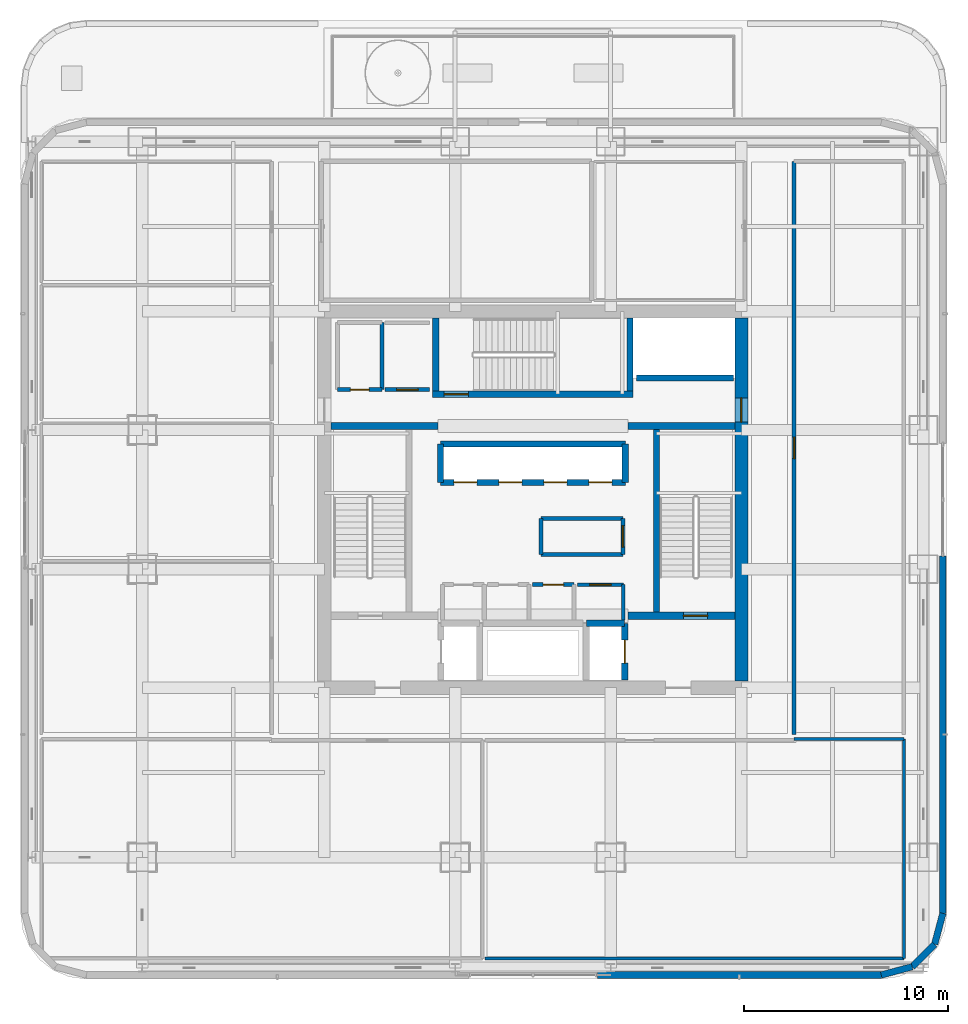
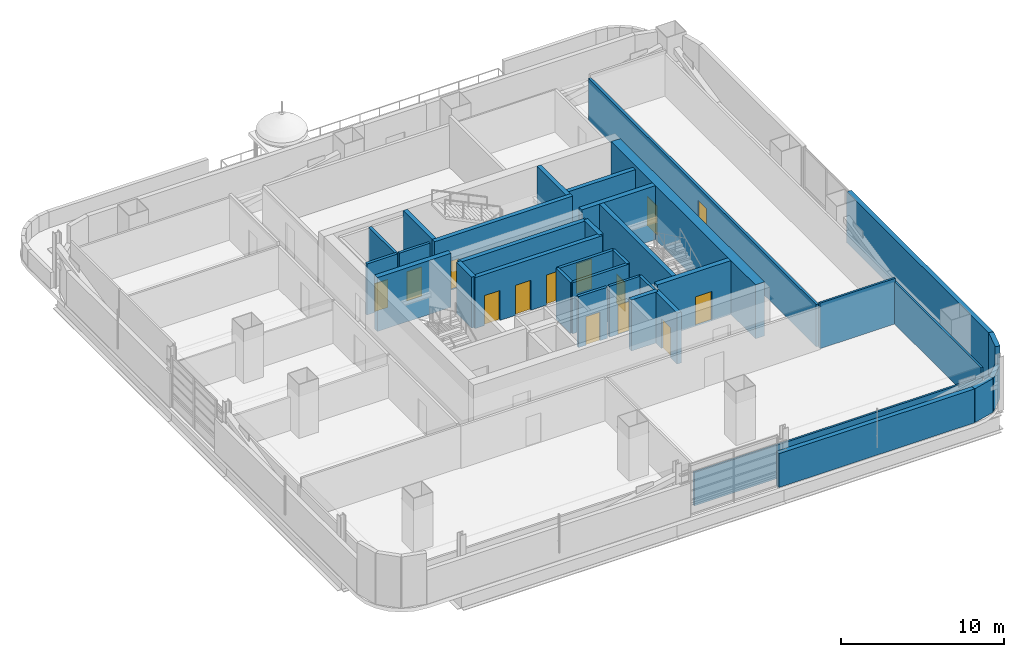
# One storey, part 11 of 29: 34 walls, 14 doors, 14 openings.
"""IFC4 building model written with IfcOpenShell, lengths in metres."""

import ifcopenshell
import ifcopenshell.guid

model = None  # the IFC model being written
_history = None  # IfcOwnerHistory: only IFC2X3 demands one
_inside = {}  # id of a spatial element -> (the spatial element, [elements in it])
_under = {}  # id of a project, library or spatial element -> (it, [spatial elements below it])
_declared = {}  # id of a project -> (the project, [libraries it declares])
_typed = {}  # id of a type object -> (the type object, [elements of that type])
_made_of = {}  # id of a material, layer set ... -> (it, [elements and type objects made of it])


def new_model(schema):
    """Start an empty IFC model of exactly this schema.

    Asked for "IFC4X3", IfcOpenShell would pick the latest addendum, in which some entities
    have other attributes; the version numbers below select the first issue.
    IFC2X3 requires an IfcOwnerHistory on every rooted entity: one is made here for all.
    """
    global model, _history
    if schema == "IFC4X3":
        model = ifcopenshell.file(schema_version=(4, 3, 0, 0))
    else:
        model = ifcopenshell.file(schema=schema)
    _inside.clear()
    _under.clear()
    _declared.clear()
    _typed.clear()
    _made_of.clear()
    _history = None
    if model.schema == "IFC2X3":
        org = make("IfcOrganization", Name="unknown")
        user = make(
            "IfcPersonAndOrganization",
            ThePerson=make("IfcPerson", FamilyName="unknown"),
            TheOrganization=org,
        )
        app = make(
            "IfcApplication",
            ApplicationDeveloper=org,
            Version="unknown",
            ApplicationFullName="unknown",
            ApplicationIdentifier="unknown",
        )
        _history = make(
            "IfcOwnerHistory",
            OwningUser=user,
            OwningApplication=app,
            ChangeAction="ADDED",
            CreationDate=0,
        )
    return model


def make(cls, **values):
    """One entity of the class cls with the attributes given. An attribute that is None is left unset."""
    return model.create_entity(
        cls, **{name: value for name, value in values.items() if value is not None}
    )


def rooted(cls, **values):
    """An entity with a GlobalId (a new one), such as an element, a storey or a relation."""
    return make(cls, GlobalId=ifcopenshell.guid.new(), OwnerHistory=_history, **values)


def si_unit(unit_type, name, prefix=None):
    """IfcSIUnit, for example si_unit("LENGTHUNIT", "METRE", prefix="MILLI")."""
    return make("IfcSIUnit", UnitType=unit_type, Prefix=prefix, Name=name)


def assignment(units):
    """IfcUnitAssignment: the units of a project."""
    return None if units is None else make("IfcUnitAssignment", Units=units)


def point(xyz):
    """IfcCartesianPoint."""
    return None if xyz is None else make("IfcCartesianPoint", Coordinates=xyz)


def direction(xyz):
    """IfcDirection."""
    return None if xyz is None else make("IfcDirection", DirectionRatios=xyz)


def frame(location, z_axis=None, x_axis=None):
    """IfcAxis2Placement3D, a coordinate frame: its origin and axes. An axis left out is left unset."""
    return make(
        "IfcAxis2Placement3D",
        Location=point(location),
        Axis=direction(z_axis),
        RefDirection=direction(x_axis),
    )


def frame_2d(location, x_axis=None):
    """IfcAxis2Placement2D, a coordinate frame in the plane: its origin and x axis."""
    return make(
        "IfcAxis2Placement2D", Location=point(location), RefDirection=direction(x_axis)
    )


def origin():
    """The frame at (0, 0, 0) with its axes left unset."""
    return frame((0.0, 0.0, 0.0))


def place(relative_to, where):
    """IfcLocalPlacement: puts the frame where relative to a parent placement (None: the world)."""
    return make(
        "IfcLocalPlacement", PlacementRelTo=relative_to, RelativePlacement=where
    )


def context(
    kind, dimensions, precision=None, world=None, true_north=None, identifier=None
):
    """IfcGeometricRepresentationContext, for example the 3D "Model" context."""
    return make(
        "IfcGeometricRepresentationContext",
        ContextIdentifier=identifier,
        ContextType=kind,
        CoordinateSpaceDimension=dimensions,
        Precision=precision,
        WorldCoordinateSystem=world,
        TrueNorth=true_north,
    )


def subcontext(parent, identifier, kind, view, scale=None):
    """IfcGeometricRepresentationSubContext, for example "Body" below "Model"."""
    return make(
        "IfcGeometricRepresentationSubContext",
        ContextIdentifier=identifier,
        ContextType=kind,
        ParentContext=parent,
        TargetScale=scale,
        TargetView=view,
    )


def project(units=None, contexts=None):
    """IfcProject with its units and contexts."""
    return rooted(
        "IfcProject",
        Name="project",
        RepresentationContexts=contexts,
        UnitsInContext=assignment(units),
    )


def spatial(cls, under=None, at=None, **own):
    """A site, building, storey or space (cls), placed at a placement, below another one or the project."""
    s = rooted(cls, ObjectPlacement=at, **own)
    if under is not None:
        _under.setdefault(under.id(), (under, []))[1].append(s)
    return s


def profile(cls, at=None, kind="AREA", **sizes):
    """A parametric profile (cls). Its sizes go by their IFC names, for example OverallWidth=200.0."""
    return make(cls, ProfileType=kind, Position=at, **sizes)


def rectangle(**sizes):
    """IfcRectangleProfileDef."""
    return profile("IfcRectangleProfileDef", **sizes)


def extrude(swept, where, along, depth):
    """IfcExtrudedAreaSolid: the profile swept, set in the frame where, extruded along a direction by depth."""
    return make(
        "IfcExtrudedAreaSolid",
        SweptArea=swept,
        Position=where,
        ExtrudedDirection=direction(along),
        Depth=depth,
    )


def shape(context_of_items, identifier, shape_type, items):
    """IfcShapeRepresentation: the items that make up one representation, for example the "Body"."""
    return make(
        "IfcShapeRepresentation",
        ContextOfItems=context_of_items,
        RepresentationIdentifier=identifier,
        RepresentationType=shape_type,
        Items=items,
    )


def material(Name=None, Category=None):
    """IfcMaterial."""
    return make("IfcMaterial", Name=Name, Category=Category)


def layer(
    of_material, thickness, ventilated=None, Name=None, Category=None, Priority=None
):
    """IfcMaterialLayer: one layer of a wall or slab, of a material (None: an air gap)."""
    return make(
        "IfcMaterialLayer",
        Material=of_material,
        LayerThickness=thickness,
        IsVentilated=ventilated,
        Name=Name,
        Category=Category,
        Priority=Priority,
    )


def layer_set(layers, Name=None):
    """IfcMaterialLayerSet."""
    return make("IfcMaterialLayerSet", MaterialLayers=layers, LayerSetName=Name)


def made_of(thing, what):
    """Note that an element or type object is made of a material, layer set ...; save() writes the relation."""
    if what is not None:
        _made_of.setdefault(what.id(), (what, []))[1].append(thing)
    return thing


def type_object(cls, material=None, **own):
    """A type object (cls), such as IfcWallType, which elements share."""
    return made_of(rooted(cls, **own), material)


def element(
    cls,
    number,
    at=None,
    inside=None,
    cuts=None,
    type_object=None,
    material=None,
    context=None,
    identifier="Body",
    shape_type=None,
    held_by="IfcProductDefinitionShape",
    body=None,
    shapes=None,
    **own,
):
    """One element of the class cls, such as IfcWall. Its Tag is "e" and its number.

    at: its placement. inside: the storey or other place that contains it. cuts: it is an
    opening in that element (IfcRelVoidsElement). A single representation is given by context,
    identifier, shape_type and body (its items); several are given by shapes. held_by: the class
    of the entity that holds the representations. save() writes the other relations.
    """
    e = rooted(cls, Tag="e%d" % number, ObjectPlacement=at, **own)
    if body is not None:
        shapes = [shape(context, identifier, shape_type, body)]
    if shapes is not None:
        e.Representation = make(held_by, Representations=shapes)
    if inside is not None:
        _inside.setdefault(inside.id(), (inside, []))[1].append(e)
    if cuts is not None:
        rooted(
            "IfcRelVoidsElement", RelatingBuildingElement=cuts, RelatedOpeningElement=e
        )
    if type_object is not None:
        _typed.setdefault(type_object.id(), (type_object, []))[1].append(e)
    return made_of(e, material)


def fill(opening, filler):
    """IfcRelFillsElement: the door or window that sits in an opening."""
    return rooted(
        "IfcRelFillsElement",
        RelatingOpeningElement=opening,
        RelatedBuildingElement=filler,
    )


def aggregate(whole, parts):
    """IfcRelAggregates: a whole, such as a stair, and the parts it consists of."""
    return rooted("IfcRelAggregates", RelatingObject=whole, RelatedObjects=parts)


def save(model, path):
    """Write the relations noted so far, then the file.

    IfcRelAggregates (storeys below a building ...), IfcRelContainedInSpatialStructure (elements
    in a storey), IfcRelDefinesByType, IfcRelAssociatesMaterial and IfcRelDeclares: one each for
    every whole, place, type object, material and project.
    """
    for whole, parts in _under.values():
        aggregate(whole, parts)
    for where, things in _inside.values():
        rooted(
            "IfcRelContainedInSpatialStructure",
            RelatedElements=things,
            RelatingStructure=where,
        )
    for kind, things in _typed.values():
        rooted("IfcRelDefinesByType", RelatedObjects=things, RelatingType=kind)
    for what, things in _made_of.values():
        rooted("IfcRelAssociatesMaterial", RelatedObjects=things, RelatingMaterial=what)
    for by, libraries in _declared.values():
        rooted("IfcRelDeclares", RelatingContext=by, RelatedDefinitions=libraries)
    model.write(path)


model = new_model("IFC4")

# Units and contexts
model_context = context("Model", 3, precision=1e-05, world=origin(), true_north=direction((0.0, 1.0)))
body_context = subcontext(model_context, "Body", "Model", "MODEL_VIEW")
ifc_project = project(units=[si_unit("LENGTHUNIT", "METRE"), si_unit("AREAUNIT", "SQUARE_METRE"), si_unit("VOLUMEUNIT", "CUBIC_METRE"), si_unit("PLANEANGLEUNIT", "RADIAN"), si_unit("MASSUNIT", "GRAM", prefix="KILO")], contexts=[model_context])

# Site, building, storey
site_placement = place(None, origin())
site = spatial("IfcSite", under=ifc_project, at=site_placement, CompositionType="ELEMENT")
building_placement = place(site_placement, origin())
building = spatial("IfcBuilding", under=site, at=building_placement, Name="Punatoya Terracotta Tower", CompositionType="ELEMENT")
storey_placement = place(building_placement, frame((0.0, 0.0, 172.199951171875)))
storey = spatial("IfcBuildingStorey", under=building, at=storey_placement, Name="L40", CompositionType="ELEMENT", Elevation=172.199951171875)

# Wall, opening, door
ifc_material_1 = material(Name="Concrete C60/75", Category="concrete")
ifc_layer_1 = layer(ifc_material_1, 0.64990234375)
ifc_layer_set_1 = layer_set([ifc_layer_1], Name="Concrete C60/75")
wall_type_1 = type_object("IfcWallType", Name="WL-COR-650", PredefinedType="SHEAR", material=ifc_layer_set_1)
wall_1_placement = place(storey_placement, frame((10.199951171875, 8.875, 0.0), z_axis=(0.0, 0.0, 1.0), x_axis=(0.0, -1.0, 0.0)))
wall_1 = element("IfcWall", 1, at=wall_1_placement, inside=storey, type_object=wall_type_1, Name="L40 Core Shear Wall E", PredefinedType="SHEAR", context=body_context, shape_type="SweptSolid", body=[
    extrude(rectangle(XDim=17.75, YDim=0.64990234375, at=frame_2d((8.875, 0.0))), origin(), (0.0, 0.0, 1.0), 4.050048828125),
])
opening_1_placement = place(wall_1_placement, frame((3.905029296875, 0.0, 0.0)))
opening_1 = element("IfcOpeningElement", 2, at=opening_1_placement, cuts=wall_1, Name="Opening SD-01", PredefinedType="OPENING", context=body_context, shape_type="SweptSolid", body=[
    extrude(rectangle(XDim=1.179931640625, YDim=2.199951171875, at=frame_2d((0.58984375, 1.10009765625))), frame((0.0, 0.3349609375, 0.0), z_axis=(0.0, -1.0, 0.0), x_axis=(1.0, 0.0, 0.0)), (0.0, 0.0, 1.0), 0.669921875),
])
ifc_material_2 = material(Name="Galvanised Steel Pressurized Stair Fire Door", Category="steel")
door_type_1 = type_object("IfcDoorType", Name="DR-STR-1180", OperationType="NOTDEFINED", PredefinedType="DOOR", material=ifc_material_2)
door_1_placement = place(opening_1_placement, origin())
door_1 = element("IfcDoor", 3, at=door_1_placement, inside=storey, type_object=door_type_1, Name="L40 Central Lift Lobby East Fire Door", OperationType="SINGLE_SWING_RIGHT", OverallHeight=2.199951171875, OverallWidth=1.179931640625, PredefinedType="DOOR", context=body_context, shape_type="SweptSolid", body=[
    extrude(rectangle(XDim=1.179931640625, YDim=2.199951171875, at=frame_2d((0.58984375, 1.10009765625))), frame((0.0, 0.02490234375, 0.0), z_axis=(0.0, -1.0, 0.0), x_axis=(1.0, 0.0, 0.0)), (0.0, 0.0, 1.0), 0.050048828125),
])
fill(opening_1, door_1)

# Wall
ifc_material_3 = material(Name="Gypsum Fireboard + Steel Stud", Category="steel")
ifc_layer_2 = layer(ifc_material_3, 0.179931640625)
ifc_layer_set_2 = layer_set([ifc_layer_2], Name="Gypsum Fireboard + Steel Stud")
wall_type_2 = type_object("IfcWallType", Name="WL-CORR-180", PredefinedType="PARTITIONING", material=ifc_layer_set_2)
wall_2_placement = place(storey_placement, frame((4.419921875, -5.89990234375, 0.0), z_axis=(0.0, 0.0, 1.0), x_axis=(0.0, 1.0, 0.0)))
element("IfcWall", 4, at=wall_2_placement, inside=storey, type_object=wall_type_2, Name="L40 Core Reprographics Studio Partition 08", PredefinedType="PARTITIONING", context=body_context, shape_type="SweptSolid", body=[
    extrude(rectangle(XDim=1.739990234375, YDim=0.179931640625, at=frame_2d((0.8701171875, 0.0))), origin(), (0.0, 0.0, 1.0), 3.830078125),
])

# Wall, opening, door
wall_3_placement = place(storey_placement, frame((4.419921875, -4.159912109375, 0.0), z_axis=(0.0, 0.0, 1.0), x_axis=(-1.0, 0.0, 0.0)))
wall_3 = element("IfcWall", 5, at=wall_3_placement, inside=storey, type_object=wall_type_2, Name="L40 Core Reprographics Studio Partition 09", PredefinedType="PARTITIONING", context=body_context, shape_type="SweptSolid", body=[
    extrude(rectangle(XDim=2.239990234375, YDim=0.179931640625, at=frame_2d((1.1201171875, 0.0))), origin(), (0.0, 0.0, 1.0), 3.830078125),
])
opening_2_placement = place(wall_3_placement, frame((0.594970703125, 0.0, 0.0)))
opening_2 = element("IfcOpeningElement", 6, at=opening_2_placement, cuts=wall_3, Name="Opening OD-01", PredefinedType="OPENING", context=body_context, shape_type="SweptSolid", body=[
    extrude(rectangle(XDim=1.050048828125, YDim=2.199951171875, at=frame_2d((0.52490234375, 1.10009765625))), frame((0.0, 0.099853515625, 0.0), z_axis=(0.0, -1.0, 0.0), x_axis=(1.0, 0.0, 0.0)), (0.0, 0.0, 1.0), 0.199951171875),
])
ifc_material_4 = material(Name="Bengal Teak Solid-Core Leaf")
door_type_2 = type_object("IfcDoorType", Name="DR-OFF-1050", OperationType="NOTDEFINED", PredefinedType="DOOR", material=ifc_material_4)
door_2_placement = place(opening_2_placement, origin())
door_2 = element("IfcDoor", 7, at=door_2_placement, inside=storey, type_object=door_type_2, Name="L40 Reprographics Studio Door", OperationType="SINGLE_SWING_RIGHT", OverallHeight=2.199951171875, OverallWidth=1.050048828125, PredefinedType="DOOR", context=body_context, shape_type="SweptSolid", body=[
    extrude(rectangle(XDim=1.050048828125, YDim=2.199951171875, at=frame_2d((0.52490234375, 1.10009765625))), frame((0.0, 0.02490234375, 0.0), z_axis=(0.0, -1.0, 0.0), x_axis=(1.0, 0.0, 0.0)), (0.0, 0.0, 1.0), 0.050048828125),
])
fill(opening_2, door_2)

wall_4_placement = place(storey_placement, frame((-7.219970703125, 5.3798828125, 0.0), z_axis=(0.0, 0.0, 1.0), x_axis=(1.0, 0.0, 0.0)))
wall_4 = element("IfcWall", 8, at=wall_4_placement, inside=storey, type_object=wall_type_2, Name="L40 West Core Print Room Partition 19", PredefinedType="PARTITIONING", context=body_context, shape_type="SweptSolid", body=[
    extrude(rectangle(XDim=2.169921875, YDim=0.179931640625, at=frame_2d((1.0849609375, 0.0))), origin(), (0.0, 0.0, 1.0), 3.830078125),
])
opening_3_placement = place(wall_4_placement, frame((0.56005859375, 0.0, 0.0)))
opening_3 = element("IfcOpeningElement", 9, at=opening_3_placement, cuts=wall_4, Name="Opening OD-01", PredefinedType="OPENING", context=body_context, shape_type="SweptSolid", body=[
    extrude(rectangle(XDim=1.050048828125, YDim=2.199951171875, at=frame_2d((0.52490234375, 1.10009765625))), frame((0.0, 0.099853515625, 0.0), z_axis=(0.0, -1.0, 0.0), x_axis=(1.0, 0.0, 0.0)), (0.0, 0.0, 1.0), 0.199951171875),
])
door_3_placement = place(opening_3_placement, origin())
door_3 = element("IfcDoor", 10, at=door_3_placement, inside=storey, type_object=door_type_2, Name="L40 West Print Room Door", OperationType="SINGLE_SWING_LEFT", OverallHeight=2.199951171875, OverallWidth=1.050048828125, PredefinedType="DOOR", context=body_context, shape_type="SweptSolid", body=[
    extrude(rectangle(XDim=1.050048828125, YDim=2.199951171875, at=frame_2d((0.52490234375, 1.10009765625))), frame((0.0, 0.02490234375, 0.0), z_axis=(0.0, -1.0, 0.0), x_axis=(1.0, 0.0, 0.0)), (0.0, 0.0, 1.0), 0.050048828125),
])
fill(opening_3, door_3)

wall_5_placement = place(storey_placement, frame((12.77001953125, -11.489990234375, 0.0), z_axis=(0.0, 0.0, 1.0), x_axis=(0.0, 1.0, 0.0)))
wall_5 = element("IfcWall", 11, at=wall_5_placement, inside=storey, type_object=wall_type_2, Name="L40 Hospitality Tea Pantry Partition 37", PredefinedType="PARTITIONING", context=body_context, shape_type="SweptSolid", body=[
    extrude(rectangle(XDim=28.030029296875, YDim=0.179931640625, at=frame_2d((14.01513671875, 0.0))), origin(), (0.0, 0.0, 1.0), 3.174072265625),
])
opening_4_placement = place(wall_5_placement, frame((13.489990234375, 0.0, 0.0)))
opening_4 = element("IfcOpeningElement", 12, at=opening_4_placement, cuts=wall_5, Name="Opening OD-01", PredefinedType="OPENING", context=body_context, shape_type="SweptSolid", body=[
    extrude(rectangle(XDim=1.050048828125, YDim=2.199951171875, at=frame_2d((0.52490234375, 1.10009765625))), frame((0.0, 0.099853515625, 0.0), z_axis=(0.0, -1.0, 0.0), x_axis=(1.0, 0.0, 0.0)), (0.0, 0.0, 1.0), 0.199951171875),
])
door_4_placement = place(opening_4_placement, origin())
door_4 = element("IfcDoor", 13, at=door_4_placement, inside=storey, type_object=door_type_2, Name="L40 Hospitality Tea Pantry Door", OperationType="SINGLE_SWING_RIGHT", OverallHeight=2.199951171875, OverallWidth=1.050048828125, PredefinedType="DOOR", context=body_context, shape_type="SweptSolid", body=[
    extrude(rectangle(XDim=1.050048828125, YDim=2.199951171875, at=frame_2d((0.52490234375, 1.10009765625))), frame((0.0, 0.02490234375, 0.0), z_axis=(0.0, -1.0, 0.0), x_axis=(1.0, 0.0, 0.0)), (0.0, 0.0, 1.0), 0.050048828125),
])
fill(opening_4, door_4)

# Walls
ifc_material_5 = material(Name="Precast concrete C40/50", Category="concrete")
ifc_layer_3 = layer(ifc_material_5, 0.320068359375)
ifc_layer_set_3 = layer_set([ifc_layer_3], Name="Precast concrete C40/50")
wall_type_3 = type_object("IfcWallType", Name="WL-EXT-320", PredefinedType="SOLIDWALL", material=ifc_layer_set_3)
wall_6_placement = place(storey_placement, frame((3.14990234375, -23.25, 0.0), z_axis=(0.0, 0.0, 1.0), x_axis=(1.0, 0.0, 0.0)))
element("IfcWall", 14, at=wall_6_placement, inside=storey, type_object=wall_type_3, Name="L40 Terracotta Braced Facade Wall S2", PredefinedType="SOLIDWALL", context=body_context, shape_type="SweptSolid", body=[
    extrude(rectangle(XDim=13.886962890625, YDim=0.320068359375, at=frame_2d((6.943359375, 0.0))), origin(), (0.0, 0.0, 1.0), 2.5439453125),
])
wall_7_placement = place(storey_placement, frame((17.036865234375, -23.25, 0.0), z_axis=(0.0, 0.0, 1.0), x_axis=(0.966224582397, 0.257701486942, 0.0)))
element("IfcWall", 15, at=wall_7_placement, inside=storey, type_object=wall_type_3, Name="L40 Rounded Terracotta Corner Pier 02", PredefinedType="SOLIDWALL", context=body_context, shape_type="SweptSolid", body=[
    extrude(rectangle(XDim=1.565185546875, YDim=0.320068359375, at=frame_2d((0.78271484375, 0.0))), origin(), (0.0, 0.0, 1.0), 2.5439453125),
])
wall_8_placement = place(storey_placement, frame((18.549072265625, -22.8466796875, 0.0), z_axis=(0.0, 0.0, 1.0), x_axis=(0.707028130747, 0.707185422879, 0.0)))
element("IfcWall", 16, at=wall_8_placement, inside=storey, type_object=wall_type_3, Name="L40 Rounded Terracotta Corner Pier 03", PredefinedType="SOLIDWALL", context=body_context, shape_type="SweptSolid", body=[
    extrude(rectangle(XDim=1.55224609375, YDim=0.320068359375, at=frame_2d((0.776123046875, 0.0))), origin(), (0.0, 0.0, 1.0), 2.504150390625),
])
wall_9_placement = place(storey_placement, frame((19.646484375, -21.7490234375, 0.0), z_axis=(0.0, 0.0, 1.0), x_axis=(0.257847112249, 0.966185730957, 0.0)))
element("IfcWall", 17, at=wall_9_placement, inside=storey, type_object=wall_type_3, Name="L40 Rounded Terracotta Corner Pier 04", PredefinedType="SOLIDWALL", context=body_context, shape_type="SweptSolid", body=[
    extrude(rectangle(XDim=1.565185546875, YDim=0.320068359375, at=frame_2d((0.78271484375, 0.0))), origin(), (0.0, 0.0, 1.0), 3.830078125),
])
wall_10_placement = place(storey_placement, frame((20.050048828125, -20.23681640625, 0.0), z_axis=(0.0, 0.0, 1.0), x_axis=(0.0, 1.0, 0.0)))
element("IfcWall", 18, at=wall_10_placement, inside=storey, type_object=wall_type_3, Name="L40 Terracotta Braced Facade Wall E1", PredefinedType="SOLIDWALL", context=body_context, shape_type="SweptSolid", body=[
    extrude(rectangle(XDim=17.48681640625, YDim=0.320068359375, at=frame_2d((8.743408203125, 0.0))), origin(), (0.0, 0.0, 1.0), 3.830078125),
])

# Wall, opening, door
ifc_material_6 = material(Name="Concrete C40/50", Category="concrete")
ifc_layer_4 = layer(ifc_material_6, 0.199951171875)
ifc_layer_set_4 = layer_set([ifc_layer_4], Name="Concrete C40/50")
wall_type_4 = type_object("IfcWallType", Name="WL-INT-200", PredefinedType="SOLIDWALL", material=ifc_layer_set_4)
wall_11_placement = place(storey_placement, frame((2.02001953125, -4.159912109375, 0.0), z_axis=(0.0, 0.0, 1.0), x_axis=(-1.0, 0.0, 0.0)))
wall_11 = element("IfcWall", 19, at=wall_11_placement, inside=storey, type_object=wall_type_4, Name="L40 Accessible Universal Washroom Partition 07", PredefinedType="SOLIDWALL", context=body_context, shape_type="SweptSolid", body=[
    extrude(rectangle(XDim=2.0400390625, YDim=0.199951171875, at=frame_2d((1.02001953125, 0.0))), origin(), (0.0, 0.0, 1.0), 3.830078125),
])
opening_5_placement = place(wall_11_placement, frame((0.52001953125, 0.0, 0.0)))
opening_5 = element("IfcOpeningElement", 20, at=opening_5_placement, cuts=wall_11, Name="Opening AWD-1", PredefinedType="OPENING", context=body_context, shape_type="SweptSolid", body=[
    extrude(rectangle(XDim=1.0, YDim=2.14990234375, at=frame_2d((0.5, 1.074951171875))), frame((0.0, 0.10986328125, 0.0), z_axis=(0.0, -1.0, 0.0), x_axis=(1.0, 0.0, 0.0)), (0.0, 0.0, 1.0), 0.219970703125),
])
ifc_material_7 = material(Name="Bengal Teak Accessible WC Leaf")
door_type_3 = type_object("IfcDoorType", Name="DR-ACC-1000", OperationType="NOTDEFINED", PredefinedType="DOOR", material=ifc_material_7)
door_5_placement = place(opening_5_placement, origin())
door_5 = element("IfcDoor", 21, at=door_5_placement, inside=storey, type_object=door_type_3, Name="L40 Accessible Universal Washroom Door", OperationType="SINGLE_SWING_LEFT", OverallHeight=2.14990234375, OverallWidth=1.0, PredefinedType="DOOR", context=body_context, shape_type="SweptSolid", body=[
    extrude(rectangle(XDim=1.0, YDim=2.14990234375, at=frame_2d((0.5, 1.074951171875))), frame((0.0, 0.02490234375, 0.0), z_axis=(0.0, -1.0, 0.0), x_axis=(1.0, 0.0, 0.0)), (0.0, 0.0, 1.0), 0.050048828125),
])
fill(opening_5, door_5)

wall_12_placement = place(storey_placement, frame((4.39990234375, -2.679931640625, 0.0), z_axis=(0.0, 0.0, 1.0), x_axis=(0.0, 1.0, 0.0)))
wall_12 = element("IfcWall", 22, at=wall_12_placement, inside=storey, type_object=wall_type_4, Name="L40 East Core Tea Pantry Partition 10", PredefinedType="SOLIDWALL", context=body_context, shape_type="SweptSolid", body=[
    extrude(rectangle(XDim=1.760009765625, YDim=0.199951171875, at=frame_2d((0.8798828125, 0.0))), origin(), (0.0, 0.0, 1.0), 3.830078125),
])
opening_6_placement = place(wall_12_placement, frame((0.35498046875, 0.0, 0.0)))
opening_6 = element("IfcOpeningElement", 23, at=opening_6_placement, cuts=wall_12, Name="Opening OD-01", PredefinedType="OPENING", context=body_context, shape_type="SweptSolid", body=[
    extrude(rectangle(XDim=1.050048828125, YDim=2.199951171875, at=frame_2d((0.52490234375, 1.10009765625))), frame((0.0, 0.10986328125, 0.0), z_axis=(0.0, -1.0, 0.0), x_axis=(1.0, 0.0, 0.0)), (0.0, 0.0, 1.0), 0.219970703125),
])
door_6_placement = place(opening_6_placement, origin())
door_6 = element("IfcDoor", 24, at=door_6_placement, inside=storey, type_object=door_type_2, Name="L40 East Tea Pantry Door", OperationType="SINGLE_SWING_LEFT", OverallHeight=2.199951171875, OverallWidth=1.050048828125, PredefinedType="DOOR", context=body_context, shape_type="SweptSolid", body=[
    extrude(rectangle(XDim=1.050048828125, YDim=2.199951171875, at=frame_2d((0.52490234375, 1.10009765625))), frame((0.0, 0.02490234375, 0.0), z_axis=(0.0, -1.0, 0.0), x_axis=(1.0, 0.0, 0.0)), (0.0, 0.0, 1.0), 0.050048828125),
])
fill(opening_6, door_6)

# Walls
wall_13_placement = place(storey_placement, frame((4.39990234375, -0.919921875, 0.0), z_axis=(0.0, 0.0, 1.0), x_axis=(-1.0, 0.0, 0.0)))
element("IfcWall", 25, at=wall_13_placement, inside=storey, type_object=wall_type_4, Name="L40 East Core Tea Pantry Partition 11", PredefinedType="SOLIDWALL", context=body_context, shape_type="SweptSolid", body=[
    extrude(rectangle(XDim=4.0, YDim=0.199951171875, at=frame_2d((2.0, 0.0))), origin(), (0.0, 0.0, 1.0), 3.830078125),
])
wall_14_placement = place(storey_placement, frame((0.39990234375, -0.919921875, 0.0), z_axis=(0.0, 0.0, 1.0), x_axis=(0.0, -1.0, 0.0)))
element("IfcWall", 26, at=wall_14_placement, inside=storey, type_object=wall_type_4, Name="L40 East Core Tea Pantry Partition 12", PredefinedType="SOLIDWALL", context=body_context, shape_type="SweptSolid", body=[
    extrude(rectangle(XDim=1.760009765625, YDim=0.199951171875, at=frame_2d((0.8798828125, 0.0))), origin(), (0.0, 0.0, 1.0), 3.830078125),
])
wall_15_placement = place(storey_placement, frame((0.39990234375, -2.679931640625, 0.0), z_axis=(0.0, 0.0, 1.0), x_axis=(1.0, 0.0, 0.0)))
element("IfcWall", 27, at=wall_15_placement, inside=storey, type_object=wall_type_4, Name="L40 East Core Tea Pantry Partition 13", PredefinedType="SOLIDWALL", context=body_context, shape_type="SweptSolid", body=[
    extrude(rectangle(XDim=4.0, YDim=0.199951171875, at=frame_2d((2.0, 0.0))), origin(), (0.0, 0.0, 1.0), 3.830078125),
])
wall_16_placement = place(storey_placement, frame((-7.3798828125, 5.3798828125, 0.0), z_axis=(0.0, 0.0, 1.0), x_axis=(0.0, 1.0, 0.0)))
element("IfcWall", 28, at=wall_16_placement, inside=storey, type_object=wall_type_4, Name="L40 West Core Archive Vault Partition 14", PredefinedType="SOLIDWALL", context=body_context, shape_type="SweptSolid", body=[
    extrude(rectangle(XDim=3.27001953125, YDim=0.199951171875, at=frame_2d((1.635009765625, 0.0))), origin(), (0.0, 0.0, 1.0), 3.830078125),
])

# Wall, opening, door
wall_17_placement = place(storey_placement, frame((-9.550048828125, 5.3798828125, 0.0), z_axis=(0.0, 0.0, 1.0), x_axis=(1.0, 0.0, 0.0)))
wall_17 = element("IfcWall", 29, at=wall_17_placement, inside=storey, type_object=wall_type_4, Name="L40 West Core Archive Vault Partition 17", PredefinedType="SOLIDWALL", context=body_context, shape_type="SweptSolid", body=[
    extrude(rectangle(XDim=2.170166015625, YDim=0.199951171875, at=frame_2d((1.0849609375, 0.0))), origin(), (0.0, 0.0, 1.0), 3.830078125),
])
opening_7_placement = place(wall_17_placement, frame((0.625, 0.0, 0.0)))
opening_7 = element("IfcOpeningElement", 30, at=opening_7_placement, cuts=wall_17, Name="Opening FD-R1", PredefinedType="OPENING", context=body_context, shape_type="SweptSolid", body=[
    extrude(rectangle(XDim=0.919921875, YDim=2.10009765625, at=frame_2d((0.4599609375, 1.050048828125))), frame((0.0, 0.10986328125, 0.0), z_axis=(0.0, -1.0, 0.0), x_axis=(1.0, 0.0, 0.0)), (0.0, 0.0, 1.0), 0.219970703125),
])
ifc_material_8 = material(Name="Galvanised Steel Riser Fire Access Door", Category="steel")
door_type_4 = type_object("IfcDoorType", Name="DR-RSR-920", OperationType="NOTDEFINED", PredefinedType="DOOR", material=ifc_material_8)
door_7_placement = place(opening_7_placement, origin())
door_7 = element("IfcDoor", 31, at=door_7_placement, inside=storey, type_object=door_type_4, Name="L40 West Core Archive Vault Fire Door", OperationType="SINGLE_SWING_RIGHT", OverallHeight=2.10009765625, OverallWidth=0.919921875, PredefinedType="DOOR", context=body_context, shape_type="SweptSolid", body=[
    extrude(rectangle(XDim=0.919921875, YDim=2.10009765625, at=frame_2d((0.4599609375, 1.050048828125))), frame((0.0, 0.02490234375, 0.0), z_axis=(0.0, -1.0, 0.0), x_axis=(1.0, 0.0, 0.0)), (0.0, 0.0, 1.0), 0.050048828125),
])
fill(opening_7, door_7)

# Walls
ifc_material_9 = material(Name="Acoustic Gypsum + Steel Stud", Category="steel")
ifc_layer_5 = layer(ifc_material_9, 0.139892578125)
ifc_layer_set_5 = layer_set([ifc_layer_5], Name="Acoustic Gypsum + Steel Stud")
wall_type_5 = type_object("IfcWallType", Name="WL-OFF-140", PredefinedType="PARTITIONING", material=ifc_layer_set_5)
wall_18_placement = place(storey_placement, frame((12.77001953125, -11.7099609375, 0.0), z_axis=(0.0, 0.0, 1.0), x_axis=(1.0, 0.0, 0.0)))
element("IfcWall", 32, at=wall_18_placement, inside=storey, type_object=wall_type_5, Name="L40 Media Broadcast Studio Partition 26", PredefinedType="PARTITIONING", context=body_context, shape_type="SweptSolid", body=[
    extrude(rectangle(XDim=5.369873046875, YDim=0.139892578125, at=frame_2d((2.68505859375, 0.0))), origin(), (0.0, 0.0, 1.0), 3.424072265625),
])
wall_19_placement = place(storey_placement, frame((18.139892578125, -11.7099609375, 0.0), z_axis=(0.0, 0.0, 1.0), x_axis=(0.0, -1.0, 0.0)))
element("IfcWall", 33, at=wall_19_placement, inside=storey, type_object=wall_type_5, Name="L40 Media Broadcast Studio Partition 27", PredefinedType="PARTITIONING", context=body_context, shape_type="SweptSolid", body=[
    extrude(rectangle(XDim=10.72998046875, YDim=0.139892578125, at=frame_2d((5.364990234375, 0.0))), origin(), (0.0, 0.0, 1.0), 3.174072265625),
])
wall_20_placement = place(storey_placement, frame((18.139892578125, -22.43994140625, 0.0), z_axis=(0.0, 0.0, 1.0), x_axis=(-1.0, 0.0, 0.0)))
element("IfcWall", 34, at=wall_20_placement, inside=storey, type_object=wall_type_5, Name="L40 Media Broadcast Studio Partition 28", PredefinedType="PARTITIONING", context=body_context, shape_type="SweptSolid", body=[
    extrude(rectangle(XDim=20.47998046875, YDim=0.139892578125, at=frame_2d((10.239990234375, 0.0))), origin(), (0.0, 0.0, 1.0), 2.504150390625),
])
ifc_layer_6 = layer(ifc_material_6, 0.300048828125)
ifc_layer_set_6 = layer_set([ifc_layer_6], Name="Concrete C40/50")
wall_type_6 = type_object("IfcWallType", Name="WL-SHF-300", PredefinedType="SOLIDWALL", material=ifc_layer_set_6)
wall_21_placement = place(storey_placement, frame((6.050048828125, 3.449951171875, 0.0), z_axis=(0.0, 0.0, 1.0), x_axis=(0.0, -1.0, 0.0)))
element("IfcWall", 35, at=wall_21_placement, inside=storey, type_object=wall_type_6, Name="L40 Structural Stair Shaft Wall SW-ST2-W", PredefinedType="SOLIDWALL", context=body_context, shape_type="SweptSolid", body=[
    extrude(rectangle(XDim=8.949951171875, YDim=0.300048828125, at=frame_2d((4.47509765625, 0.0))), origin(), (0.0, 0.0, 1.0), 4.050048828125),
])
for number, where, z_axis, x_axis, name in (
    (36, (-4.75, 5.300048828125, 0.0), (0.0, 0.0, 1.0), (0.0, 1.0, 0.0), "L40 Structural Stair Shaft Wall SW-ST3-W"),
    (37, (4.75, 8.875, 0.0), (0.0, 0.0, 1.0), (0.0, -1.0, 0.0), "L40 Structural Stair Shaft Wall SW-ST3-E"),
):
    element("IfcWall", number, at=place(storey_placement, frame(where, z_axis=z_axis, x_axis=x_axis)), inside=storey, type_object=wall_type_6, Name=name, PredefinedType="SOLIDWALL", context=body_context, shape_type="SweptSolid", body=[
        extrude(rectangle(XDim=3.574951171875, YDim=0.300048828125, at=frame_2d((1.78759765625, 0.0))), origin(), (0.0, 0.0, 1.0), 4.050048828125),
    ])

# Wall, opening, door
wall_22_placement = place(storey_placement, frame((-4.89990234375, 5.14990234375, 0.0), z_axis=(0.0, 0.0, 1.0), x_axis=(1.0, 0.0, 0.0)))
wall_22 = element("IfcWall", 38, at=wall_22_placement, inside=storey, type_object=wall_type_6, Name="L40 Structural Stair Shaft Wall SW-ST3-S", PredefinedType="SOLIDWALL", context=body_context, shape_type="SweptSolid", body=[
    extrude(rectangle(XDim=9.7998046875, YDim=0.300048828125, at=frame_2d((4.89990234375, 0.0))), origin(), (0.0, 0.0, 1.0), 4.050048828125),
])
opening_8_placement = place(wall_22_placement, frame((0.56005859375, 0.0, 0.0)))
opening_8 = element("IfcOpeningElement", 39, at=opening_8_placement, cuts=wall_22, Name="Opening SD-01", PredefinedType="OPENING", context=body_context, shape_type="SweptSolid", body=[
    extrude(rectangle(XDim=1.179931640625, YDim=2.199951171875, at=frame_2d((0.58984375, 1.10009765625))), frame((0.0, 0.159912109375, 0.0), z_axis=(0.0, -1.0, 0.0), x_axis=(1.0, 0.0, 0.0)), (0.0, 0.0, 1.0), 0.320068359375),
])
door_8_placement = place(opening_8_placement, origin())
door_8 = element("IfcDoor", 40, at=door_8_placement, inside=storey, type_object=door_type_1, Name="L40 Stair ST-3 Core Lobby Fire Door", OperationType="SINGLE_SWING_LEFT", OverallHeight=2.199951171875, OverallWidth=1.179931640625, PredefinedType="DOOR", context=body_context, shape_type="SweptSolid", body=[
    extrude(rectangle(XDim=1.179931640625, YDim=2.199951171875, at=frame_2d((0.58984375, 1.10009765625))), frame((0.0, 0.02490234375, 0.0), z_axis=(0.0, -1.0, 0.0), x_axis=(1.0, 0.0, 0.0)), (0.0, 0.0, 1.0), 0.050048828125),
])
fill(opening_8, door_8)

wall_23_placement = place(storey_placement, frame((4.489990234375, -8.820068359375, 0.0), z_axis=(0.0, 0.0, 1.0), x_axis=(0.0, 1.0, 0.0)))
wall_23 = element("IfcWall", 41, at=wall_23_placement, inside=storey, type_object=wall_type_6, Name="L40 FFL-2 Front Hoistway Wall", PredefinedType="SOLIDWALL", context=body_context, shape_type="SweptSolid", body=[
    extrude(rectangle(XDim=2.77001953125, YDim=0.300048828125, at=frame_2d((1.385009765625, 0.0))), origin(), (0.0, 0.0, 1.0), 3.830078125),
])
opening_9_placement = place(wall_23_placement, frame((0.824951171875, 0.0, 0.0)))
opening_9 = element("IfcOpeningElement", 42, at=opening_9_placement, cuts=wall_23, Name="Opening LD-02", PredefinedType="OPENING", context=body_context, shape_type="SweptSolid", body=[
    extrude(rectangle(XDim=1.1201171875, YDim=2.25, at=frame_2d((0.56005859375, 1.125))), frame((0.0, 0.159912109375, 0.0), z_axis=(0.0, -1.0, 0.0), x_axis=(1.0, 0.0, 0.0)), (0.0, 0.0, 1.0), 0.320068359375),
])
ifc_material_10 = material(Name="Stainless Steel Lift Landing Door", Category="steel")
door_type_5 = type_object("IfcDoorType", Name="DR-LND-1120", OperationType="NOTDEFINED", PredefinedType="DOOR", material=ifc_material_10)
door_9_placement = place(opening_9_placement, origin())
door_9 = element("IfcDoor", 43, at=door_9_placement, inside=storey, type_object=door_type_5, Name="L40 Firefighting Lift FFL-2 Sliding Landing Door", OperationType="SLIDING_TO_RIGHT", OverallHeight=2.25, OverallWidth=1.1201171875, PredefinedType="DOOR", context=body_context, shape_type="SweptSolid", body=[
    extrude(rectangle(XDim=1.1201171875, YDim=2.25, at=frame_2d((0.56005859375, 1.125))), frame((0.0, 0.02490234375, 0.0), z_axis=(0.0, -1.0, 0.0), x_axis=(1.0, 0.0, 0.0)), (0.0, 0.0, 1.0), 0.050048828125),
])
fill(opening_9, door_9)

# Wall
wall_24_placement = place(storey_placement, frame((2.610107421875, -6.050048828125, 0.0), z_axis=(0.0, 0.0, 1.0), x_axis=(1.0, 0.0, 0.0)))
element("IfcWall", 44, at=wall_24_placement, inside=storey, type_object=wall_type_6, Name="L40 FFL-2 North Hoistway Wall", PredefinedType="SOLIDWALL", context=body_context, shape_type="SweptSolid", body=[
    extrude(rectangle(XDim=1.8798828125, YDim=0.300048828125, at=frame_2d((0.93994140625, 0.0))), origin(), (0.0, 0.0, 1.0), 3.830078125),
])

# Wall, openings, doors
wall_25_placement = place(storey_placement, frame((-4.52001953125, 0.840087890625, 0.0), z_axis=(0.0, 0.0, 1.0), x_axis=(1.0, 0.0, 0.0)))
wall_25 = element("IfcWall", 45, at=wall_25_placement, inside=storey, type_object=wall_type_6, Name="L40 North Lift Bank Front Shaft Wall", PredefinedType="SOLIDWALL", context=body_context, shape_type="SweptSolid", body=[
    extrude(rectangle(XDim=9.0400390625, YDim=0.300048828125, at=frame_2d((4.52001953125, 0.0))), origin(), (0.0, 0.0, 1.0), 3.830078125),
])
opening_10_placement = place(wall_25_placement, frame((0.659912109375, 0.0, 0.0)))
opening_10 = element("IfcOpeningElement", 46, at=opening_10_placement, cuts=wall_25, Name="Opening LD-02", PredefinedType="OPENING", context=body_context, shape_type="SweptSolid", body=[
    extrude(rectangle(XDim=1.1201171875, YDim=2.25, at=frame_2d((0.56005859375, 1.125))), frame((0.0, 0.159912109375, 0.0), z_axis=(0.0, -1.0, 0.0), x_axis=(1.0, 0.0, 0.0)), (0.0, 0.0, 1.0), 0.320068359375),
])
opening_11_placement = place(wall_25_placement, frame((2.860107421875, 0.0, 0.0)))
opening_11 = element("IfcOpeningElement", 47, at=opening_11_placement, cuts=wall_25, Name="Opening LD-02", PredefinedType="OPENING", context=body_context, shape_type="SweptSolid", body=[
    extrude(rectangle(XDim=1.1201171875, YDim=2.25, at=frame_2d((0.56005859375, 1.125))), frame((0.0, 0.159912109375, 0.0), z_axis=(0.0, -1.0, 0.0), x_axis=(1.0, 0.0, 0.0)), (0.0, 0.0, 1.0), 0.320068359375),
])
opening_12_placement = place(wall_25_placement, frame((5.06005859375, 0.0, 0.0)))
opening_12 = element("IfcOpeningElement", 48, at=opening_12_placement, cuts=wall_25, Name="Opening LD-02", PredefinedType="OPENING", context=body_context, shape_type="SweptSolid", body=[
    extrude(rectangle(XDim=1.1201171875, YDim=2.25, at=frame_2d((0.56005859375, 1.125))), frame((0.0, 0.159912109375, 0.0), z_axis=(0.0, -1.0, 0.0), x_axis=(1.0, 0.0, 0.0)), (0.0, 0.0, 1.0), 0.320068359375),
])
opening_13_placement = place(wall_25_placement, frame((7.260009765625, 0.0, 0.0)))
opening_13 = element("IfcOpeningElement", 49, at=opening_13_placement, cuts=wall_25, Name="Opening LD-02", PredefinedType="OPENING", context=body_context, shape_type="SweptSolid", body=[
    extrude(rectangle(XDim=1.1201171875, YDim=2.25, at=frame_2d((0.56005859375, 1.125))), frame((0.0, 0.159912109375, 0.0), z_axis=(0.0, -1.0, 0.0), x_axis=(1.0, 0.0, 0.0)), (0.0, 0.0, 1.0), 0.320068359375),
])
door_10_placement = place(opening_10_placement, origin())
door_10 = element("IfcDoor", 50, at=door_10_placement, inside=storey, type_object=door_type_5, Name="L40 Lift PL-M1 Sliding Landing Door", OperationType="DOUBLE_DOOR_SLIDING", OverallHeight=2.25, OverallWidth=1.1201171875, PredefinedType="DOOR", context=body_context, shape_type="SweptSolid", body=[
    extrude(rectangle(XDim=1.1201171875, YDim=2.25, at=frame_2d((0.56005859375, 1.125))), frame((0.0, 0.02490234375, 0.0), z_axis=(0.0, -1.0, 0.0), x_axis=(1.0, 0.0, 0.0)), (0.0, 0.0, 1.0), 0.050048828125),
])
fill(opening_10, door_10)
door_11_placement = place(opening_11_placement, origin())
door_11 = element("IfcDoor", 51, at=door_11_placement, inside=storey, type_object=door_type_5, Name="L40 Lift PL-M2 Sliding Landing Door", OperationType="DOUBLE_DOOR_SLIDING", OverallHeight=2.25, OverallWidth=1.1201171875, PredefinedType="DOOR", context=body_context, shape_type="SweptSolid", body=[
    extrude(rectangle(XDim=1.1201171875, YDim=2.25, at=frame_2d((0.56005859375, 1.125))), frame((0.0, 0.02490234375, 0.0), z_axis=(0.0, -1.0, 0.0), x_axis=(1.0, 0.0, 0.0)), (0.0, 0.0, 1.0), 0.050048828125),
])
fill(opening_11, door_11)
door_12_placement = place(opening_12_placement, origin())
door_12 = element("IfcDoor", 52, at=door_12_placement, inside=storey, type_object=door_type_5, Name="L40 Lift PL-M3 Sliding Landing Door", OperationType="DOUBLE_DOOR_SLIDING", OverallHeight=2.25, OverallWidth=1.1201171875, PredefinedType="DOOR", context=body_context, shape_type="SweptSolid", body=[
    extrude(rectangle(XDim=1.1201171875, YDim=2.25, at=frame_2d((0.56005859375, 1.125))), frame((0.0, 0.02490234375, 0.0), z_axis=(0.0, -1.0, 0.0), x_axis=(1.0, 0.0, 0.0)), (0.0, 0.0, 1.0), 0.050048828125),
])
fill(opening_12, door_12)
door_13_placement = place(opening_13_placement, origin())
door_13 = element("IfcDoor", 53, at=door_13_placement, inside=storey, type_object=door_type_5, Name="L40 Lift PL-M4 Sliding Landing Door", OperationType="DOUBLE_DOOR_SLIDING", OverallHeight=2.25, OverallWidth=1.1201171875, PredefinedType="DOOR", context=body_context, shape_type="SweptSolid", body=[
    extrude(rectangle(XDim=1.1201171875, YDim=2.25, at=frame_2d((0.56005859375, 1.125))), frame((0.0, 0.02490234375, 0.0), z_axis=(0.0, -1.0, 0.0), x_axis=(1.0, 0.0, 0.0)), (0.0, 0.0, 1.0), 0.050048828125),
])
fill(opening_13, door_13)

# Walls
wall_26_placement = place(storey_placement, frame((-4.52001953125, 2.719970703125, 0.0), z_axis=(0.0, 0.0, 1.0), x_axis=(1.0, 0.0, 0.0)))
element("IfcWall", 54, at=wall_26_placement, inside=storey, type_object=wall_type_6, Name="L40 North Lift Bank Rear Shaft Wall", PredefinedType="SOLIDWALL", context=body_context, shape_type="SweptSolid", body=[
    extrude(rectangle(XDim=9.0400390625, YDim=0.300048828125, at=frame_2d((4.52001953125, 0.0))), origin(), (0.0, 0.0, 1.0), 3.830078125),
])
for number, where, z_axis, x_axis, name in (
    (55, (-4.52001953125, 0.840087890625, 0.0), (0.0, 0.0, 1.0), (0.0, 1.0, 0.0), "L40 North Lift Bank West End Wall"),
    (56, (4.52001953125, 0.840087890625, 0.0), (0.0, 0.0, 1.0), (0.0, 1.0, 0.0), "L40 North Lift Bank East End Wall"),
):
    element("IfcWall", number, at=place(storey_placement, frame(where, z_axis=z_axis, x_axis=x_axis)), inside=storey, type_object=wall_type_6, Name=name, PredefinedType="SOLIDWALL", context=body_context, shape_type="SweptSolid", body=[
        extrude(rectangle(XDim=1.8798828125, YDim=0.300048828125, at=frame_2d((0.93994140625, 0.0))), origin(), (0.0, 0.0, 1.0), 3.830078125),
    ])
wall_27_placement = place(storey_placement, frame((5.06005859375, 5.949951171875, 0.0), z_axis=(0.0, 0.0, 1.0), x_axis=(1.0, 0.0, 0.0)))
element("IfcWall", 57, at=wall_27_placement, inside=storey, type_object=wall_type_6, Name="L40 Shuttle SL-2 South Hoistway Wall", PredefinedType="SOLIDWALL", context=body_context, shape_type="SweptSolid", body=[
    extrude(rectangle(XDim=4.760009765625, YDim=0.300048828125, at=frame_2d((2.3798828125, 0.0))), origin(), (0.0, 0.0, 1.0), 3.830078125),
])

# Wall, opening, door
ifc_material_11 = material(Name="Concrete C50/60", Category="concrete")
ifc_layer_7 = layer(ifc_material_11, 0.35009765625)
ifc_layer_set_7 = layer_set([ifc_layer_7], Name="Concrete C50/60")
wall_type_7 = type_object("IfcWallType", Name="WL-SHF-350", PredefinedType="SOLIDWALL", material=ifc_layer_set_7)
wall_28_placement = place(storey_placement, frame((4.64990234375, -5.679931640625, 0.0), z_axis=(0.0, 0.0, 1.0), x_axis=(1.0, 0.0, 0.0)))
wall_28 = element("IfcWall", 58, at=wall_28_placement, inside=storey, type_object=wall_type_7, Name="L40 Core Web Wall CSW-R", PredefinedType="SOLIDWALL", context=body_context, shape_type="SweptSolid", body=[
    extrude(rectangle(XDim=5.22509765625, YDim=0.35009765625, at=frame_2d((2.612548828125, 0.0))), origin(), (0.0, 0.0, 1.0), 4.050048828125),
])
opening_14_placement = place(wall_28_placement, frame((2.7099609375, 0.0, 0.0)))
opening_14 = element("IfcOpeningElement", 59, at=opening_14_placement, cuts=wall_28, Name="Opening SD-01", PredefinedType="OPENING", context=body_context, shape_type="SweptSolid", body=[
    extrude(rectangle(XDim=1.179931640625, YDim=2.199951171875, at=frame_2d((0.58984375, 1.10009765625))), frame((0.0, 0.18505859375, 0.0), z_axis=(0.0, -1.0, 0.0), x_axis=(1.0, 0.0, 0.0)), (0.0, 0.0, 1.0), 0.3701171875),
])
door_14_placement = place(opening_14_placement, origin())
door_14 = element("IfcDoor", 60, at=door_14_placement, inside=storey, type_object=door_type_1, Name="L40 Stair ST-2 Smokeproof Lobby Fire Door", OperationType="SINGLE_SWING_RIGHT", OverallHeight=2.199951171875, OverallWidth=1.179931640625, PredefinedType="DOOR", context=body_context, shape_type="SweptSolid", body=[
    extrude(rectangle(XDim=1.179931640625, YDim=2.199951171875, at=frame_2d((0.58984375, 1.10009765625))), frame((0.0, 0.02490234375, 0.0), z_axis=(0.0, -1.0, 0.0), x_axis=(1.0, 0.0, 0.0)), (0.0, 0.0, 1.0), 0.050048828125),
])
fill(opening_14, door_14)

# Walls
for number, where, z_axis, x_axis, name in (
    (61, (-9.875, 3.60009765625, 0.0), (0.0, 0.0, 1.0), (1.0, 0.0, 0.0), "L40 Core Web Wall CNW-L"),
    (62, (4.64990234375, 3.60009765625, 0.0), (0.0, 0.0, 1.0), (1.0, 0.0, 0.0), "L40 Core Web Wall CNW-R"),
):
    element("IfcWall", number, at=place(storey_placement, frame(where, z_axis=z_axis, x_axis=x_axis)), inside=storey, type_object=wall_type_7, Name=name, PredefinedType="SOLIDWALL", context=body_context, shape_type="SweptSolid", body=[
        extrude(rectangle(XDim=5.22509765625, YDim=0.35009765625, at=frame_2d((2.612548828125, 0.0))), origin(), (0.0, 0.0, 1.0), 4.050048828125),
    ])

save(model, "model.ifc")
